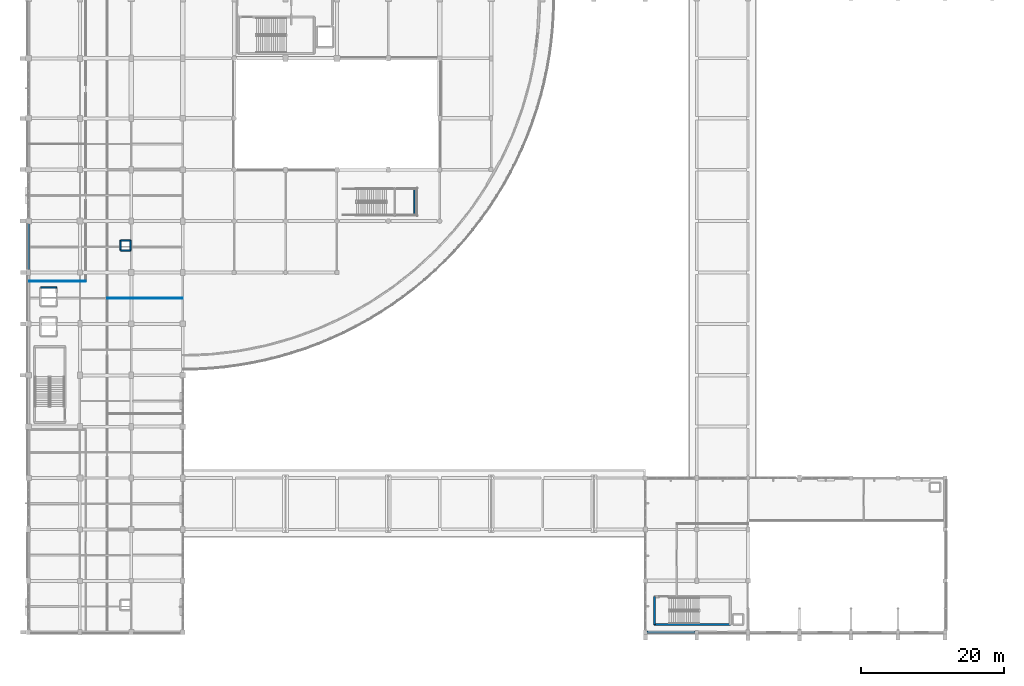
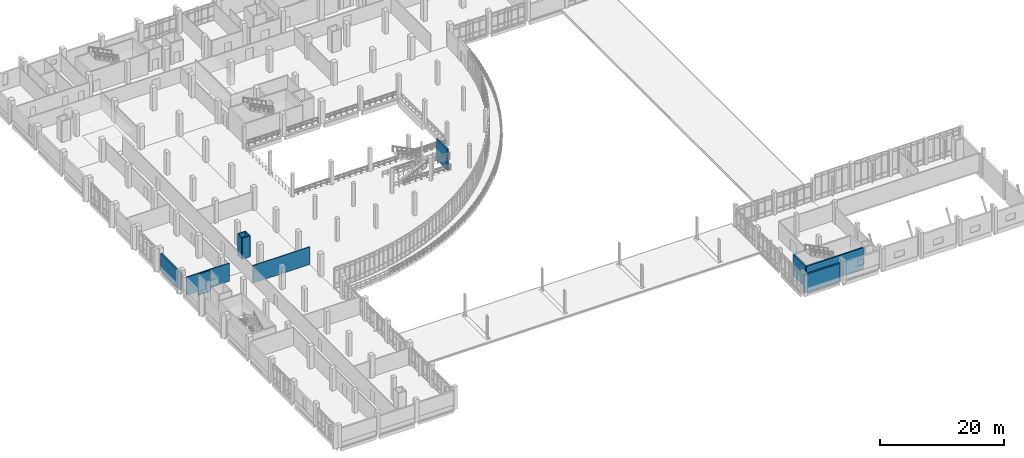
# One storey, part 113 of 134: 12 walls.
"""IFC4 building model written with IfcOpenShell, lengths in metres."""

from ifc_helpers import new_model, si_unit, direction, frame, frame_2d, origin, place, context, subcontext, project, spatial, rectangle, extrude, material, layer, layer_set, type_object, element, save


model = new_model("IFC4")

# Units and contexts
model_context = context("Model", 3, precision=1e-05, world=origin(), true_north=direction((0.0, 1.0)))
body_context = subcontext(model_context, "Body", "Model", "MODEL_VIEW")
ifc_project = project(units=[si_unit("LENGTHUNIT", "METRE"), si_unit("AREAUNIT", "SQUARE_METRE"), si_unit("VOLUMEUNIT", "CUBIC_METRE"), si_unit("PLANEANGLEUNIT", "RADIAN"), si_unit("MASSUNIT", "GRAM", prefix="KILO")], contexts=[model_context])

# Site, building, storey
site_placement = place(None, origin())
site = spatial("IfcSite", under=ifc_project, at=site_placement, CompositionType="ELEMENT")
building_placement = place(site_placement, origin())
building = spatial("IfcBuilding", under=site, at=building_placement, Name="Kalluvel Institute of Natural Sciences", CompositionType="ELEMENT")
storey_placement = place(building_placement, frame((0.0, 0.0, 5.39990234375)))
storey = spatial("IfcBuildingStorey", under=building, at=storey_placement, Name="L01", CompositionType="ELEMENT", Elevation=5.39990234375)

# Walls
ifc_material_1 = material(Name="Concrete M40", Category="concrete")
ifc_layer_1 = layer(ifc_material_1, 0.25)
ifc_layer_set_1 = layer_set([ifc_layer_1], Name="Concrete M40")
wall_type_1 = type_object("IfcWallType", Name="WL-CORE-250", PredefinedType="SHEAR", material=ifc_layer_set_1)
wall_1_placement = place(storey_placement, frame((101.68505859375, 15.0849609375, 0.0), z_axis=(0.0, 0.0, 1.0), x_axis=(1.0, 0.0, 0.0)))
element("IfcWall", 1, at=wall_1_placement, inside=storey, type_object=wall_type_1, Name="ST7 L01 core wall S", PredefinedType="SHEAR", context=body_context, shape_type="SweptSolid", body=[
    extrude(rectangle(XDim=10.6298828125, YDim=0.25, at=frame_2d((5.31494140625, 0.0))), origin(), (0.0, 0.0, 1.0), 4.215087890625),
])
wall_2_placement = place(storey_placement, frame((101.68505859375, 18.985107421875, 0.0), z_axis=(0.0, 0.0, 1.0), x_axis=(0.0, -1.0, 0.0)))
element("IfcWall", 2, at=wall_2_placement, inside=storey, type_object=wall_type_1, Name="ST7 L01 core wall W", PredefinedType="SHEAR", context=body_context, shape_type="SweptSolid", body=[
    extrude(rectangle(XDim=3.900146484375, YDim=0.25, at=frame_2d((1.9501953125, 0.0))), origin(), (0.0, 0.0, 1.0), 4.215087890625),
])
ifc_material_2 = material(Name="Sadarahalli Grey Granite Ashlar Concrete M40", Category="masonry")
ifc_layer_2 = layer(ifc_material_2, 0.300048828125)
ifc_layer_set_2 = layer_set([ifc_layer_2], Name="Sadarahalli Grey Granite Ashlar Concrete M40")
wall_type_2 = type_object("IfcWallType", Name="WL-EXT-300", PredefinedType="SOLIDWALL", material=ifc_layer_set_2)
wall_3_placement = place(storey_placement, frame((14.0, 64.830078125, 0.0), z_axis=(0.0, 0.0, 1.0), x_axis=(0.0, 1.0, 0.0)))
element("IfcWall", 3, at=wall_3_placement, inside=storey, type_object=wall_type_2, Name="L01 Sadarahalli granite exterior wall WL-EXT-L01-0152", PredefinedType="SOLIDWALL", context=body_context, shape_type="SweptSolid", body=[
    extrude(rectangle(XDim=6.4150390625, YDim=0.300048828125, at=frame_2d((3.20751953125, 0.0))), origin(), (0.0, 0.0, 1.0), 3.425048828125),
])
ifc_layer_3 = layer(ifc_material_2, 0.320068359375)
ifc_layer_set_3 = layer_set([ifc_layer_3], Name="Sadarahalli Grey Granite Ashlar Concrete M40")
wall_type_3 = type_object("IfcWallType", Name="WL-EXT-320", PredefinedType="SOLIDWALL", material=ifc_layer_set_3)
wall_4_placement = place(storey_placement, frame((100.60498046875, 14.0, 0.0), z_axis=(0.0, 0.0, 1.0), x_axis=(1.0, 0.0, 0.0)))
element("IfcWall", 4, at=wall_4_placement, inside=storey, type_object=wall_type_3, Name="L01 Sadarahalli granite exterior wall WL-EXT-L01-0221", PredefinedType="SOLIDWALL", context=body_context, shape_type="SweptSolid", body=[
    extrude(rectangle(XDim=6.739990234375, YDim=0.320068359375, at=frame_2d((3.3701171875, 0.0))), origin(), (0.0, 0.0, 1.0), 3.55517578125),
])
ifc_material_3 = material(Name="Acoustic Gypsum Twin-Stud Partition", Category="gypsum")
ifc_layer_4 = layer(ifc_material_3, 0.1201171875)
ifc_layer_set_4 = layer_set([ifc_layer_4], Name="Acoustic Gypsum Twin-Stud Partition")
wall_type_4 = type_object("IfcWallType", Name="WL-PART-120", PredefinedType="PARTITIONING", material=ifc_layer_set_4)
wall_5_placement = place(storey_placement, frame((25.0, 60.800048828125, 0.0), z_axis=(0.0, 0.0, 1.0), x_axis=(1.0, 0.0, 0.0)))
element("IfcWall", 5, at=wall_5_placement, inside=storey, type_object=wall_type_4, Name="L01 interior partition wall WL-INT-L01-0107", PredefinedType="PARTITIONING", context=body_context, shape_type="SweptSolid", body=[
    extrude(rectangle(XDim=10.60009765625, YDim=0.1201171875, at=frame_2d((5.300048828125, 0.0))), origin(), (0.0, 0.0, 1.0), 3.47998046875),
])
ifc_layer_5 = layer(ifc_material_3, 0.139892578125)
ifc_layer_set_5 = layer_set([ifc_layer_5], Name="Acoustic Gypsum Twin-Stud Partition")
wall_type_5 = type_object("IfcWallType", Name="WL-PART-140", PredefinedType="PARTITIONING", material=ifc_layer_set_5)
wall_6_placement = place(storey_placement, frame((14.0, 63.199951171875, 0.0), z_axis=(0.0, 0.0, 1.0), x_axis=(1.0, 0.0, 0.0)))
element("IfcWall", 6, at=wall_6_placement, inside=storey, type_object=wall_type_5, Name="L01 interior partition wall WL-INT-L01-0112", PredefinedType="PARTITIONING", context=body_context, shape_type="SweptSolid", body=[
    extrude(rectangle(XDim=8.0, YDim=0.139892578125, at=frame_2d((4.0, 0.0))), origin(), (0.0, 0.0, 1.0), 3.580078125),
])
ifc_layer_6 = layer(ifc_material_1, 0.199951171875)
ifc_layer_set_6 = layer_set([ifc_layer_6], Name="Concrete M40")
wall_type_6 = type_object("IfcWallType", Name="WL-RISER-200", PredefinedType="SHEAR", material=ifc_layer_set_6)
wall_7_placement = place(storey_placement, frame((26.89990234375, 67.5, 0.0), z_axis=(0.0, 0.0, 1.0), x_axis=(1.0, 0.0, 0.0)))
element("IfcWall", 7, at=wall_7_placement, inside=storey, type_object=wall_type_6, Name="RS-DRY-N L01 service riser enclosure S", PredefinedType="SHEAR", context=body_context, shape_type="SweptSolid", body=[
    extrude(rectangle(XDim=1.400146484375, YDim=0.199951171875, at=frame_2d((0.7001953125, 0.0))), origin(), (0.0, 0.0, 1.0), 4.16015625),
])
wall_8_placement = place(storey_placement, frame((28.300048828125, 67.5, 0.0), z_axis=(0.0, 0.0, 1.0), x_axis=(0.0, 1.0, 0.0)))
element("IfcWall", 8, at=wall_8_placement, inside=storey, type_object=wall_type_6, Name="RS-DRY-N L01 service riser enclosure E", PredefinedType="SHEAR", context=body_context, shape_type="SweptSolid", body=[
    extrude(rectangle(XDim=1.39990234375, YDim=0.199951171875, at=frame_2d((0.699951171875, 0.0))), origin(), (0.0, 0.0, 1.0), 4.16015625),
])
wall_9_placement = place(storey_placement, frame((28.300048828125, 68.89990234375, 0.0), z_axis=(0.0, 0.0, 1.0), x_axis=(-1.0, 0.0, 0.0)))
element("IfcWall", 9, at=wall_9_placement, inside=storey, type_object=wall_type_6, Name="RS-DRY-N L01 service riser enclosure N", PredefinedType="SHEAR", context=body_context, shape_type="SweptSolid", body=[
    extrude(rectangle(XDim=1.400146484375, YDim=0.199951171875, at=frame_2d((0.7001953125, 0.0))), origin(), (0.0, 0.0, 1.0), 4.16015625),
])
wall_10_placement = place(storey_placement, frame((26.89990234375, 68.89990234375, 0.0), z_axis=(0.0, 0.0, 1.0), x_axis=(0.0, -1.0, 0.0)))
element("IfcWall", 10, at=wall_10_placement, inside=storey, type_object=wall_type_6, Name="RS-DRY-N L01 service riser enclosure W", PredefinedType="SHEAR", context=body_context, shape_type="SweptSolid", body=[
    extrude(rectangle(XDim=1.39990234375, YDim=0.199951171875, at=frame_2d((0.699951171875, 0.0))), origin(), (0.0, 0.0, 1.0), 4.16015625),
])
ifc_layer_7 = layer(ifc_material_1, 0.219970703125)
ifc_layer_set_7 = layer_set([ifc_layer_7], Name="Concrete M40")
wall_type_7 = type_object("IfcWallType", Name="WL-SHAFT-220", PredefinedType="SHEAR", material=ifc_layer_set_7)
wall_11_placement = place(storey_placement, frame((17.929931640625, 62.280029296875, 0.0), z_axis=(0.0, 0.0, 1.0), x_axis=(-1.0, 0.0, 0.0)))
element("IfcWall", 11, at=wall_11_placement, inside=storey, type_object=wall_type_7, Name="LF7 L01 lift shaft wall", PredefinedType="SHEAR", context=body_context, shape_type="SweptSolid", body=[
    extrude(rectangle(XDim=2.260009765625, YDim=0.219970703125, at=frame_2d((1.1298828125, 0.0))), origin(), (0.0, 0.0, 1.0), 4.195068359375),
])
wall_12_placement = place(storey_placement, frame((68.10009765625, 72.5, 0.0), z_axis=(0.0, 0.0, 1.0), x_axis=(0.0, 1.0, 0.0)))
element("IfcWall", 12, at=wall_12_placement, inside=storey, type_object=wall_type_7, Name="L01 Atrium feature stair structural fin wall", PredefinedType="SHEAR", context=body_context, shape_type="SweptSolid", body=[
    extrude(rectangle(XDim=3.5, YDim=0.219970703125, at=frame_2d((1.75, 0.0))), origin(), (0.0, 0.0, 1.0), 4.22021484375),
])

save(model, "model.ifc")
